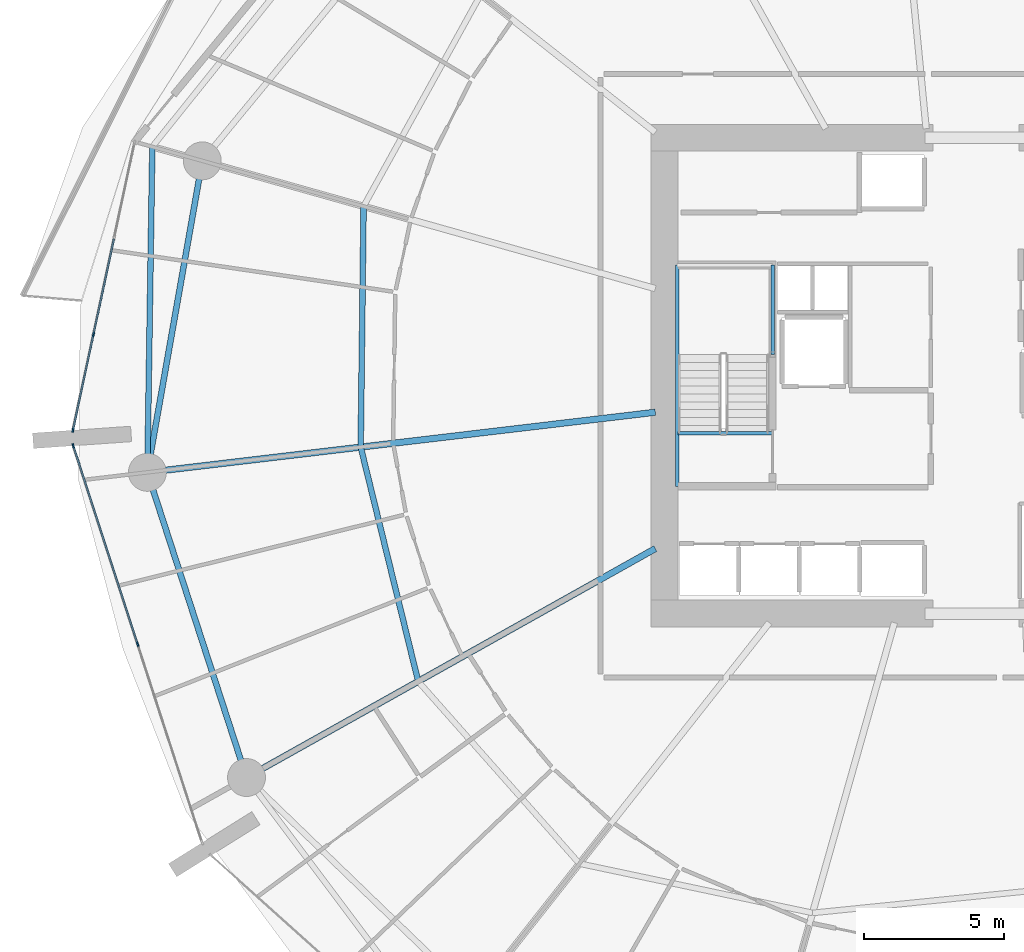
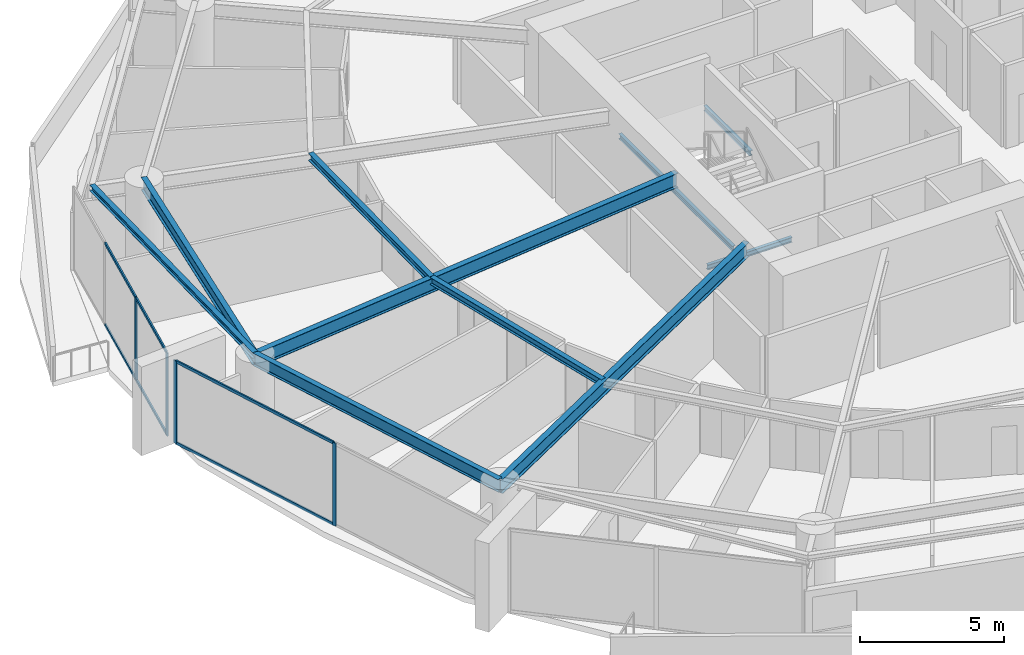
# One storey, part 8 of 31: 10 beams, 10 members, 2 elements without a shape of their own.
"""IFC4 building model written with IfcOpenShell, lengths in metres."""

from ifc_helpers import new_model, si_unit, direction, frame, origin, origin_2d, place, context, subcontext, project, spatial, rectangle, i_section, extrude, material, layer, layer_set, material_profile, profile_set, type_object, element, aggregate, save


model = new_model("IFC4")

# Units and contexts
model_context = context("Model", 3, precision=1e-05, world=origin(), true_north=direction((0.0, 1.0)))
body_context = subcontext(model_context, "Body", "Model", "MODEL_VIEW")
ifc_project = project(units=[si_unit("LENGTHUNIT", "METRE"), si_unit("AREAUNIT", "SQUARE_METRE"), si_unit("VOLUMEUNIT", "CUBIC_METRE"), si_unit("PLANEANGLEUNIT", "RADIAN"), si_unit("MASSUNIT", "GRAM", prefix="KILO")], contexts=[model_context])

# Site, building, storey
site_placement = place(None, origin())
site = spatial("IfcSite", under=ifc_project, at=site_placement, CompositionType="ELEMENT")
building_placement = place(site_placement, origin())
building = spatial("IfcBuilding", under=site, at=building_placement, Name="Kazma Halo Residences", CompositionType="ELEMENT")
storey_placement = place(building_placement, frame((0.0, 0.0, 33.89990234375)))
storey = spatial("IfcBuildingStorey", under=building, at=storey_placement, Name="L07", CompositionType="ELEMENT", Elevation=33.89990234375)

# Beams
ifc_material_1 = material(Name="Steel S355", Category="steel")
ifc_material_profile_1 = material_profile(ifc_material_1, i_section(OverallWidth=0.201904296875, OverallDepth=0.2470703125, WebThickness=0.00732421875, FlangeThickness=0.010986328125, FilletRadius=0.011962890625, at=origin_2d()), Name="W250x49.1")
ifc_profile_set_1 = profile_set([ifc_material_profile_1], Name="Steel S355")
beam_type_1 = type_object("IfcBeamType", Name="BM-BAL-CANT", PredefinedType="BEAM", material=ifc_profile_set_1)
beam_1_placement = place(storey_placement, frame((19.07861328125, 50.15673828125, 3.376708984375), z_axis=(-0.015213846033, -0.999884262747, 0.0), x_axis=(0.999884262747, -0.015213846033, 0.0)))
element("IfcBeam", 1, at=beam_1_placement, inside=storey, type_object=beam_type_1, Name="L07 wave-balcony tie beam 07", PredefinedType="BEAM", context=body_context, shape_type="SweptSolid", body=[
    extrude(i_section(OverallWidth=0.201904296875, OverallDepth=0.2470703125, WebThickness=0.00732421875, FlangeThickness=0.010986328125, FilletRadius=0.011962890625, at=origin_2d()), origin(), (0.0, 0.0, 1.0), 11.602294921875),
])
ifc_material_profile_2 = material_profile(ifc_material_1, i_section(OverallWidth=0.22802734375, OverallDepth=0.60791015625, WebThickness=0.01123046875, FlangeThickness=0.017333984375, FilletRadius=0.01806640625, at=origin_2d()), Name="W610x113")
ifc_profile_set_2 = profile_set([ifc_material_profile_2], Name="Steel S355")
beam_type_2 = type_object("IfcBeamType", Name="BM-RAD-W610", PredefinedType="BEAM", material=ifc_profile_set_2)
beam_2_placement = place(storey_placement, frame((37.0, 40.697998046875, 3.196044921875), z_axis=(-0.993068058728, -0.117540762013, 0.0), x_axis=(0.117540762013, -0.993068058728, 0.0)))
element("IfcBeam", 2, at=beam_2_placement, inside=storey, type_object=beam_type_2, Name="L07 radial floor beam 08", PredefinedType="BEAM", context=body_context, shape_type="SweptSolid", body=[
    extrude(i_section(OverallWidth=0.22802734375, OverallDepth=0.60791015625, WebThickness=0.01123046875, FlangeThickness=0.017333984375, FilletRadius=0.01806640625, at=origin_2d()), origin(), (0.0, 0.0, 1.0), 18.22412109375),
])
beam_3_placement = place(storey_placement, frame((37.0, 35.839599609375, 3.196044921875), z_axis=(-0.872496538947, -0.488620291767, 0.0), x_axis=(0.488620291767, -0.872496538947, 0.0)))
element("IfcBeam", 3, at=beam_3_placement, inside=storey, type_object=beam_type_2, Name="L07 radial floor beam 09", PredefinedType="BEAM", context=body_context, shape_type="SweptSolid", body=[
    extrude(i_section(OverallWidth=0.22802734375, OverallDepth=0.60791015625, WebThickness=0.01123046875, FlangeThickness=0.017333984375, FilletRadius=0.01806640625, at=origin_2d()), origin(), (0.0, 0.0, 1.0), 16.693359375),
])
ifc_material_profile_3 = material_profile(ifc_material_1, i_section(OverallWidth=0.202880859375, OverallDepth=0.302978515625, WebThickness=0.007568359375, FlangeThickness=0.01318359375, FilletRadius=0.013916015625, at=origin_2d()), Name="W310x60")
ifc_profile_set_3 = profile_set([ifc_material_profile_3], Name="Steel S355")
beam_type_3 = type_object("IfcBeamType", Name="BM-SEC-W310A", PredefinedType="JOIST", material=ifc_profile_set_3)
beam_4_placement = place(storey_placement, frame((26.605712890625, 48.033935546875, 3.3486328125), z_axis=(-0.011952697998, -0.999928563954, 0.0), x_axis=(0.999928563954, -0.011952697998, 0.0)))
element("IfcBeam", 4, at=beam_4_placement, inside=storey, type_object=beam_type_3, Name="L07 circumferential floor joist 07", PredefinedType="JOIST", context=body_context, shape_type="SweptSolid", body=[
    extrude(i_section(OverallWidth=0.202880859375, OverallDepth=0.302978515625, WebThickness=0.007568359375, FlangeThickness=0.01318359375, FilletRadius=0.013916015625, at=origin_2d()), origin(), (0.0, 0.0, 1.0), 8.578857421875),
])
beam_5_placement = place(storey_placement, frame((26.503173828125, 39.455810546875, 3.3486328125), z_axis=(0.238409585139, -0.971164697523, 0.0), x_axis=(0.971164697523, 0.238409585139, 0.0)))
element("IfcBeam", 5, at=beam_5_placement, inside=storey, type_object=beam_type_3, Name="L07 circumferential floor joist 08", PredefinedType="JOIST", context=body_context, shape_type="SweptSolid", body=[
    extrude(i_section(OverallWidth=0.202880859375, OverallDepth=0.302978515625, WebThickness=0.007568359375, FlangeThickness=0.01318359375, FilletRadius=0.013916015625, at=origin_2d()), origin(), (0.0, 0.0, 1.0), 8.5947265625),
])
ifc_material_profile_4 = material_profile(ifc_material_1, i_section(OverallWidth=0.208984375, OverallDepth=0.532958984375, WebThickness=0.01025390625, FlangeThickness=0.015625, FilletRadius=0.01611328125, at=origin_2d()), Name="W530x92")
ifc_profile_set_4 = profile_set([ifc_material_profile_4], Name="Steel S355")
beam_type_4 = type_object("IfcBeamType", Name="BM-SPN-W530", PredefinedType="BEAM", material=ifc_profile_set_4)
beam_6_placement = place(storey_placement, frame((20.859130859375, 49.654541015625, 3.233642578125), z_axis=(-0.173651864005, -0.984807103004, 0.0), x_axis=(0.984807103004, -0.173651864005, 0.0)))
element("IfcBeam", 6, at=beam_6_placement, inside=storey, type_object=beam_type_4, Name="L07 perimeter ring beam 07", PredefinedType="BEAM", context=body_context, shape_type="SweptSolid", body=[
    extrude(i_section(OverallWidth=0.208984375, OverallDepth=0.532958984375, WebThickness=0.01025390625, FlangeThickness=0.015625, FilletRadius=0.01611328125, at=origin_2d()), origin(), (0.0, 0.0, 1.0), 11.269775390625),
])
beam_7_placement = place(storey_placement, frame((18.902099609375, 38.555908203125, 3.233642578125), z_axis=(0.309024264898, -0.951054153928, 0.0), x_axis=(0.951054153928, 0.309024264898, 0.0)))
element("IfcBeam", 7, at=beam_7_placement, inside=storey, type_object=beam_type_4, Name="L07 perimeter ring beam 08", PredefinedType="BEAM", context=body_context, shape_type="SweptSolid", body=[
    extrude(i_section(OverallWidth=0.208984375, OverallDepth=0.532958984375, WebThickness=0.01025390625, FlangeThickness=0.015625, FilletRadius=0.01611328125, at=origin_2d()), origin(), (0.0, 0.0, 1.0), 11.4326171875),
])
ifc_material_profile_5 = material_profile(ifc_material_1, i_section(OverallWidth=0.133056640625, OverallDepth=0.20703125, WebThickness=0.005859375, FlangeThickness=0.00830078125, FilletRadius=0.010009765625, at=origin_2d()), Name="W200x26.6")
ifc_profile_set_5 = profile_set([ifc_material_profile_5], Name="Steel S355")
beam_type_5 = type_object("IfcBeamType", Name="BM-TRIM-W200", PredefinedType="BEAM", material=ifc_profile_set_5)
beam_8_placement = place(storey_placement, frame((37.800048828125, 39.949951171875, -0.35986328125), z_axis=(1.0, 0.0, 0.0), x_axis=(0.0, 1.0, 0.0)))
element("IfcBeam", 8, at=beam_8_placement, inside=storey, type_object=beam_type_5, Name="L07 ST-01 floor landing support beam", PredefinedType="BEAM", context=body_context, shape_type="SweptSolid", body=[
    extrude(i_section(OverallWidth=0.133056640625, OverallDepth=0.20703125, WebThickness=0.005859375, FlangeThickness=0.00830078125, FilletRadius=0.010009765625, at=origin_2d()), origin(), (0.0, 0.0, 1.0), 3.3798828125),
])
beam_9_placement = place(storey_placement, frame((37.780029296875, 38.06005859375, 1.570068359375), z_axis=(0.0, 1.0, 0.0), x_axis=(-1.0, 0.0, 0.0)))
element("IfcBeam", 9, at=beam_9_placement, inside=storey, type_object=beam_type_5, Name="L07 ST-01 landing west wall ledger", PredefinedType="BEAM", context=body_context, shape_type="SweptSolid", body=[
    extrude(i_section(OverallWidth=0.133056640625, OverallDepth=0.20703125, WebThickness=0.005859375, FlangeThickness=0.00830078125, FilletRadius=0.010009765625, at=origin_2d()), origin(), (0.0, 0.0, 1.0), 7.8798828125),
])
beam_10_placement = place(storey_placement, frame((41.179931640625, 42.75, 1.570068359375), z_axis=(0.0, 1.0, 0.0), x_axis=(-1.0, 0.0, 0.0)))
element("IfcBeam", 10, at=beam_10_placement, inside=storey, type_object=beam_type_5, Name="L07 ST-01 landing east wall ledger", PredefinedType="BEAM", context=body_context, shape_type="SweptSolid", body=[
    extrude(i_section(OverallWidth=0.133056640625, OverallDepth=0.20703125, WebThickness=0.005859375, FlangeThickness=0.00830078125, FilletRadius=0.010009765625, at=origin_2d()), origin(), (0.0, 0.0, 1.0), 3.18994140625),
])

# Curtain wall, members
ifc_material_2 = material(Name="Aluminium AW-6063 T6 and Triple-Silver Low-E Glass", Category="aluminium")
ifc_layer = layer(ifc_material_2, 0.159912109375)
ifc_layer_set = layer_set([ifc_layer], Name="Aluminium AW-6063 T6 and Triple-Silver Low-E Glass")
curtain_wall_type = type_object("IfcCurtainWallType", Name="CW-SYS-2", PredefinedType="NOTDEFINED", material=ifc_layer_set)
curtain_wall_1_placement = place(storey_placement, origin())
curtain_wall_1 = element("IfcCurtainWall", 11, at=curtain_wall_1_placement, inside=storey, type_object=curtain_wall_type, Name="L07 unitised curtain wall B07", PredefinedType="NOTDEFINED")
ifc_material_3 = material(Name="Aluminium AW-6063 T6", Category="aluminium")
ifc_material_profile_6 = material_profile(ifc_material_3, rectangle(XDim=0.06005859375, YDim=0.159912109375, at=origin_2d()), Name="CWM-60x160")
ifc_profile_set_6 = profile_set([ifc_material_profile_6], Name="Aluminium AW-6063 T6")
member_type_1 = type_object("IfcMemberType", Name="CW-SYS-2-MUL", PredefinedType="MULLION", material=ifc_profile_set_6)
member_1_placement = place(storey_placement, frame((16.980712890625, 43.46435546875, 0.0), z_axis=(0.0, 0.0, 1.0), x_axis=(0.977779215096, -0.209637321406, 0.0)))
member_1 = element("IfcMember", 12, at=member_1_placement, type_object=member_type_1, Name="CWS-2 mullion 3", PredefinedType="MULLION", context=body_context, shape_type="SweptSolid", body=[
    extrude(rectangle(XDim=0.06005859375, YDim=0.159912109375, at=origin_2d()), origin(), (0.0, 0.0, 1.0), 3.5),
])
member_2_placement = place(storey_placement, frame((16.25048828125, 40.059326171875, 0.0), z_axis=(0.0, 0.0, 1.0), x_axis=(0.977779215096, -0.209637321406, 0.0)))
member_2 = element("IfcMember", 13, at=member_2_placement, type_object=member_type_1, Name="CWS-2 mullion 4", PredefinedType="MULLION", context=body_context, shape_type="SweptSolid", body=[
    extrude(rectangle(XDim=0.06005859375, YDim=0.159912109375, at=origin_2d()), origin(), (0.0, 0.0, 1.0), 3.5),
])

curtain_wall_2_placement = place(storey_placement, origin())
curtain_wall_2 = element("IfcCurtainWall", 14, at=curtain_wall_2_placement, inside=storey, type_object=curtain_wall_type, Name="L07 unitised curtain wall B08", PredefinedType="NOTDEFINED")
member_3_placement = place(storey_placement, frame((16.26171875, 39.500732421875, 0.0), z_axis=(0.0, 0.0, 1.0), x_axis=(0.95105652404, 0.309016970539, 0.0)))
member_3 = element("IfcMember", 15, at=member_3_placement, type_object=member_type_1, Name="CWS-2 mullion 1", PredefinedType="MULLION", context=body_context, shape_type="SweptSolid", body=[
    extrude(rectangle(XDim=0.06005859375, YDim=0.159912109375, at=origin_2d()), origin(), (0.0, 0.0, 1.0), 3.5),
])
member_4_placement = place(storey_placement, frame((18.55810546875, 32.43359375, 0.0), z_axis=(0.0, 0.0, 1.0), x_axis=(0.95105652404, 0.309016970539, 0.0)))
member_4 = element("IfcMember", 16, at=member_4_placement, type_object=member_type_1, Name="CWS-2 mullion 2", PredefinedType="MULLION", context=body_context, shape_type="SweptSolid", body=[
    extrude(rectangle(XDim=0.06005859375, YDim=0.159912109375, at=origin_2d()), origin(), (0.0, 0.0, 1.0), 3.5),
])

# Member
ifc_material_profile_7 = material_profile(ifc_material_3, rectangle(XDim=0.06005859375, YDim=0.1201171875, at=origin_2d()), Name="CWT-60x120")
ifc_profile_set_7 = profile_set([ifc_material_profile_7], Name="Aluminium AW-6063 T6")
member_type_2 = type_object("IfcMemberType", Name="CW-SYS-2-TRN", PredefinedType="USERDEFINED", material=ifc_profile_set_7)
member_5_placement = place(storey_placement, frame((17.710693359375, 46.869384765625, 0.030029296875), z_axis=(-0.209669136217, -0.977772393412, 0.0), x_axis=(0.977772393412, -0.209669136217, 0.0)))
member_5 = element("IfcMember", 17, at=member_5_placement, type_object=member_type_2, Name="CWS-2 transom 2.1", ObjectType="TRANSOM", PredefinedType="USERDEFINED", context=body_context, shape_type="SweptSolid", body=[
    extrude(rectangle(XDim=0.06005859375, YDim=0.1201171875, at=origin_2d()), origin(), (0.0, 0.0, 1.0), 3.452392578125),
])

member_6_placement = place(storey_placement, frame((17.710693359375, 46.869384765625, 3.47021484375), z_axis=(-0.209669136217, -0.977772393412, 0.0), x_axis=(0.977772393412, -0.209669136217, 0.0)))
member_6 = element("IfcMember", 18, at=member_6_placement, type_object=member_type_2, Name="CWS-2 transom 2.2", ObjectType="TRANSOM", PredefinedType="USERDEFINED", context=body_context, shape_type="SweptSolid", body=[
    extrude(rectangle(XDim=0.06005859375, YDim=0.1201171875, at=origin_2d()), origin(), (0.0, 0.0, 1.0), 3.452392578125),
])

member_7_placement = place(storey_placement, frame((16.974365234375, 43.434814453125, 0.030029296875), z_axis=(-0.209665500897, -0.977773172946, 0.0), x_axis=(0.977773172946, -0.209665500897, 0.0)))
member_7 = element("IfcMember", 19, at=member_7_placement, type_object=member_type_2, Name="CWS-2 transom 3.1", ObjectType="TRANSOM", PredefinedType="USERDEFINED", context=body_context, shape_type="SweptSolid", body=[
    extrude(rectangle(XDim=0.06005859375, YDim=0.1201171875, at=origin_2d()), origin(), (0.0, 0.0, 1.0), 3.42236328125),
])

member_8_placement = place(storey_placement, frame((16.974365234375, 43.434814453125, 3.47021484375), z_axis=(-0.209665500897, -0.977773172946, 0.0), x_axis=(0.977773172946, -0.209665500897, 0.0)))
member_8 = element("IfcMember", 20, at=member_8_placement, type_object=member_type_2, Name="CWS-2 transom 3.2", ObjectType="TRANSOM", PredefinedType="USERDEFINED", context=body_context, shape_type="SweptSolid", body=[
    extrude(rectangle(XDim=0.06005859375, YDim=0.1201171875, at=origin_2d()), origin(), (0.0, 0.0, 1.0), 3.42236328125),
])

aggregate(curtain_wall_1, [member_1, member_2, member_5, member_6, member_7, member_8])

member_9_placement = place(storey_placement, frame((16.27099609375, 39.47216796875, 0.030029296875), z_axis=(0.309034393795, -0.951050862705, 0.0), x_axis=(0.951050862705, 0.309034393795, 0.0)))
member_9 = element("IfcMember", 21, at=member_9_placement, type_object=member_type_2, Name="CWS-2 transom 1.1", ObjectType="TRANSOM", PredefinedType="USERDEFINED", context=body_context, shape_type="SweptSolid", body=[
    extrude(rectangle(XDim=0.06005859375, YDim=0.1201171875, at=origin_2d()), origin(), (0.0, 0.0, 1.0), 7.370849609375),
])

member_10_placement = place(storey_placement, frame((16.27099609375, 39.47216796875, 3.47021484375), z_axis=(0.309034393795, -0.951050862705, 0.0), x_axis=(0.951050862705, 0.309034393795, 0.0)))
member_10 = element("IfcMember", 22, at=member_10_placement, type_object=member_type_2, Name="CWS-2 transom 1.2", ObjectType="TRANSOM", PredefinedType="USERDEFINED", context=body_context, shape_type="SweptSolid", body=[
    extrude(rectangle(XDim=0.06005859375, YDim=0.1201171875, at=origin_2d()), origin(), (0.0, 0.0, 1.0), 7.370849609375),
])

aggregate(curtain_wall_2, [member_3, member_4, member_9, member_10])

save(model, "model.ifc")
